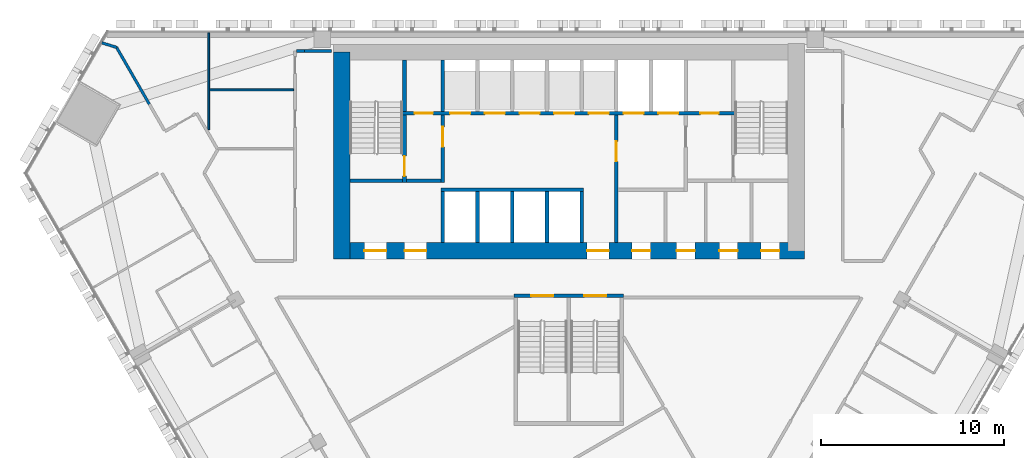
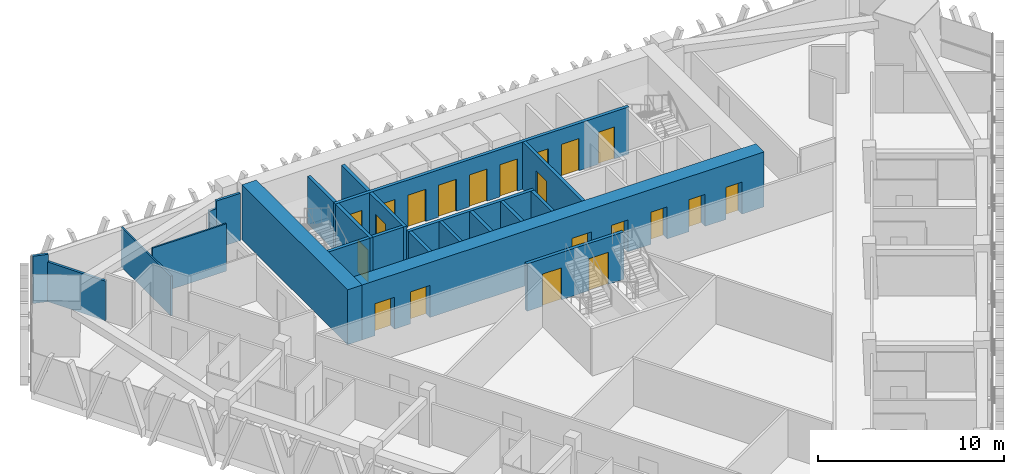
# One storey, part 11 of 16: 23 walls, 21 doors, 21 openings.
"""IFC4 building model written with IfcOpenShell, lengths in metres."""

from ifc_helpers import new_model, si_unit, direction, frame, frame_2d, origin, place, context, subcontext, project, spatial, rectangle, extrude, material, layer, layer_set, type_object, element, fill, save


model = new_model("IFC4")

# Units and contexts
model_context = context("Model", 3, precision=1e-05, world=origin(), true_north=direction((0.0, 1.0)))
body_context = subcontext(model_context, "Body", "Model", "MODEL_VIEW")
ifc_project = project(units=[si_unit("LENGTHUNIT", "METRE"), si_unit("AREAUNIT", "SQUARE_METRE"), si_unit("VOLUMEUNIT", "CUBIC_METRE"), si_unit("PLANEANGLEUNIT", "RADIAN"), si_unit("MASSUNIT", "GRAM", prefix="KILO")], contexts=[model_context])

# Site, building, storey
site_placement = place(None, origin())
site = spatial("IfcSite", under=ifc_project, at=site_placement, CompositionType="ELEMENT")
building_placement = place(site_placement, origin())
building = spatial("IfcBuilding", under=site, at=building_placement, Name="Altiplano Prism Tower", CompositionType="ELEMENT")
storey_placement = place(building_placement, frame((0.0, 0.0, 73.800048828125)))
storey = spatial("IfcBuildingStorey", under=building, at=storey_placement, Name="L18", CompositionType="ELEMENT", Elevation=73.800048828125)

# Wall, openings, doors
ifc_material_1 = material(Name="Concrete C70/85", Category="concrete")
ifc_layer_1 = layer(ifc_material_1, 0.89990234375)
ifc_layer_set_1 = layer_set([ifc_layer_1], Name="Concrete C70/85")
wall_type_1 = type_object("IfcWallType", Name="Core wall 900", PredefinedType="SHEAR", material=ifc_layer_set_1)
wall_1_placement = place(storey_placement, frame((72.550048828125, 92.949951171875, 0.0), z_axis=(0.0, 0.0, 1.0), x_axis=(1.0, 0.0, 0.0)))
wall_1 = element("IfcWall", 1, at=wall_1_placement, inside=storey, type_object=wall_type_1, Name="Core wall S L18", PredefinedType="SHEAR", context=body_context, shape_type="SweptSolid", body=[
    extrude(rectangle(XDim=25.349853515625, YDim=0.89990234375, at=frame_2d((12.6748046875, 0.0))), origin(), (0.0, 0.0, 1.0), 3.599853515625),
])
opening_1_placement = place(wall_1_placement, frame((1.25, 0.0, 0.0)))
opening_1 = element("IfcOpeningElement", 2, at=opening_1_placement, cuts=wall_1, Name="Opening D2832", PredefinedType="OPENING", context=body_context, shape_type="SweptSolid", body=[
    extrude(rectangle(XDim=1.199951171875, YDim=2.10009765625, at=frame_2d((0.60009765625, 1.050048828125))), frame((0.0, 0.46044921875, 0.0), z_axis=(0.0, -1.0, 0.0), x_axis=(1.0, 0.0, 0.0)), (0.0, 0.0, 1.0), 0.9208984375),
])
opening_2_placement = place(wall_1_placement, frame((3.449951171875, 0.0, 0.0)))
opening_2 = element("IfcOpeningElement", 3, at=opening_2_placement, cuts=wall_1, Name="Opening D2833", PredefinedType="OPENING", context=body_context, shape_type="SweptSolid", body=[
    extrude(rectangle(XDim=1.199951171875, YDim=2.10009765625, at=frame_2d((0.60009765625, 1.050048828125))), frame((0.0, 0.46044921875, 0.0), z_axis=(0.0, -1.0, 0.0), x_axis=(1.0, 0.0, 0.0)), (0.0, 0.0, 1.0), 0.9208984375),
])
opening_3_placement = place(wall_1_placement, frame((13.449951171875, 0.0, 0.0)))
opening_3 = element("IfcOpeningElement", 4, at=opening_3_placement, cuts=wall_1, Name="Opening D2834", PredefinedType="OPENING", context=body_context, shape_type="SweptSolid", body=[
    extrude(rectangle(XDim=1.199951171875, YDim=2.10009765625, at=frame_2d((0.60009765625, 1.050048828125))), frame((0.0, 0.46044921875, 0.0), z_axis=(0.0, -1.0, 0.0), x_axis=(1.0, 0.0, 0.0)), (0.0, 0.0, 1.0), 0.9208984375),
])
opening_4_placement = place(wall_1_placement, frame((15.91259765625, 0.0, 0.0)))
opening_4 = element("IfcOpeningElement", 5, at=opening_4_placement, cuts=wall_1, Name="Opening D2837", PredefinedType="OPENING", context=body_context, shape_type="SweptSolid", body=[
    extrude(rectangle(XDim=1.0, YDim=2.10009765625, at=frame_2d((0.5, 1.050048828125))), frame((0.0, 0.46044921875, 0.0), z_axis=(0.0, -1.0, 0.0), x_axis=(1.0, 0.0, 0.0)), (0.0, 0.0, 1.0), 0.9208984375),
])
opening_5_placement = place(wall_1_placement, frame((18.35009765625, 0.0, 0.0)))
opening_5 = element("IfcOpeningElement", 6, at=opening_5_placement, cuts=wall_1, Name="Opening D2838", PredefinedType="OPENING", context=body_context, shape_type="SweptSolid", body=[
    extrude(rectangle(XDim=1.0, YDim=2.10009765625, at=frame_2d((0.5, 1.050048828125))), frame((0.0, 0.46044921875, 0.0), z_axis=(0.0, -1.0, 0.0), x_axis=(1.0, 0.0, 0.0)), (0.0, 0.0, 1.0), 0.9208984375),
])
opening_6_placement = place(wall_1_placement, frame((20.699951171875, 0.0, 0.0)))
opening_6 = element("IfcOpeningElement", 7, at=opening_6_placement, cuts=wall_1, Name="Opening D2839", PredefinedType="OPENING", context=body_context, shape_type="SweptSolid", body=[
    extrude(rectangle(XDim=1.0, YDim=2.10009765625, at=frame_2d((0.5, 1.050048828125))), frame((0.0, 0.46044921875, 0.0), z_axis=(0.0, -1.0, 0.0), x_axis=(1.0, 0.0, 0.0)), (0.0, 0.0, 1.0), 0.9208984375),
])
opening_7_placement = place(wall_1_placement, frame((22.987548828125, 0.0, 0.0)))
opening_7 = element("IfcOpeningElement", 8, at=opening_7_placement, cuts=wall_1, Name="Opening D2840", PredefinedType="OPENING", context=body_context, shape_type="SweptSolid", body=[
    extrude(rectangle(XDim=1.0, YDim=2.10009765625, at=frame_2d((0.5, 1.050048828125))), frame((0.0, 0.46044921875, 0.0), z_axis=(0.0, -1.0, 0.0), x_axis=(1.0, 0.0, 0.0)), (0.0, 0.0, 1.0), 0.9208984375),
])
ifc_material_2 = material(Name="Fire-rated steel door", Category="steel")
door_type_1 = type_object("IfcDoorType", Name="Core room door 1000 x 2100", OperationType="NOTDEFINED", PredefinedType="NOTDEFINED", material=ifc_material_2)
door_1_placement = place(opening_4_placement, origin())
door_1 = element("IfcDoor", 9, at=door_1_placement, inside=storey, type_object=door_type_1, Name="Core room door D2837", OperationType="SINGLE_SWING_RIGHT", OverallHeight=2.10009765625, OverallWidth=1.0, PredefinedType="NOTDEFINED", context=body_context, shape_type="SweptSolid", body=[
    extrude(rectangle(XDim=1.0, YDim=2.10009765625, at=frame_2d((0.5, 1.050048828125))), frame((0.0, 0.02490234375, 0.0), z_axis=(0.0, -1.0, 0.0), x_axis=(1.0, 0.0, 0.0)), (0.0, 0.0, 1.0), 0.050048828125),
])
fill(opening_4, door_1)
door_2_placement = place(opening_5_placement, origin())
door_2 = element("IfcDoor", 10, at=door_2_placement, inside=storey, type_object=door_type_1, Name="Core room door D2838", OperationType="SINGLE_SWING_LEFT", OverallHeight=2.10009765625, OverallWidth=1.0, PredefinedType="NOTDEFINED", context=body_context, shape_type="SweptSolid", body=[
    extrude(rectangle(XDim=1.0, YDim=2.10009765625, at=frame_2d((0.5, 1.050048828125))), frame((0.0, 0.02490234375, 0.0), z_axis=(0.0, -1.0, 0.0), x_axis=(1.0, 0.0, 0.0)), (0.0, 0.0, 1.0), 0.050048828125),
])
fill(opening_5, door_2)
door_3_placement = place(opening_6_placement, origin())
door_3 = element("IfcDoor", 11, at=door_3_placement, inside=storey, type_object=door_type_1, Name="Core room door D2839", OperationType="SINGLE_SWING_RIGHT", OverallHeight=2.10009765625, OverallWidth=1.0, PredefinedType="NOTDEFINED", context=body_context, shape_type="SweptSolid", body=[
    extrude(rectangle(XDim=1.0, YDim=2.10009765625, at=frame_2d((0.5, 1.050048828125))), frame((0.0, 0.02490234375, 0.0), z_axis=(0.0, -1.0, 0.0), x_axis=(1.0, 0.0, 0.0)), (0.0, 0.0, 1.0), 0.050048828125),
])
fill(opening_6, door_3)
door_4_placement = place(opening_7_placement, origin())
door_4 = element("IfcDoor", 12, at=door_4_placement, inside=storey, type_object=door_type_1, Name="Core room door D2840", OperationType="SINGLE_SWING_LEFT", OverallHeight=2.10009765625, OverallWidth=1.0, PredefinedType="NOTDEFINED", context=body_context, shape_type="SweptSolid", body=[
    extrude(rectangle(XDim=1.0, YDim=2.10009765625, at=frame_2d((0.5, 1.050048828125))), frame((0.0, 0.02490234375, 0.0), z_axis=(0.0, -1.0, 0.0), x_axis=(1.0, 0.0, 0.0)), (0.0, 0.0, 1.0), 0.050048828125),
])
fill(opening_7, door_4)
door_type_2 = type_object("IfcDoorType", Name="Lobby fire door 1200 x 2100", OperationType="NOTDEFINED", PredefinedType="NOTDEFINED", material=ifc_material_2)
door_5_placement = place(opening_1_placement, origin())
door_5 = element("IfcDoor", 13, at=door_5_placement, inside=storey, type_object=door_type_2, Name="Lobby fire door D2832", OperationType="SINGLE_SWING_RIGHT", OverallHeight=2.10009765625, OverallWidth=1.199951171875, PredefinedType="NOTDEFINED", context=body_context, shape_type="SweptSolid", body=[
    extrude(rectangle(XDim=1.199951171875, YDim=2.10009765625, at=frame_2d((0.60009765625, 1.050048828125))), frame((0.0, 0.02490234375, 0.0), z_axis=(0.0, -1.0, 0.0), x_axis=(1.0, 0.0, 0.0)), (0.0, 0.0, 1.0), 0.050048828125),
])
fill(opening_1, door_5)
door_6_placement = place(opening_2_placement, origin())
door_6 = element("IfcDoor", 14, at=door_6_placement, inside=storey, type_object=door_type_2, Name="Lobby fire door D2833", OperationType="SINGLE_SWING_LEFT", OverallHeight=2.10009765625, OverallWidth=1.199951171875, PredefinedType="NOTDEFINED", context=body_context, shape_type="SweptSolid", body=[
    extrude(rectangle(XDim=1.199951171875, YDim=2.10009765625, at=frame_2d((0.60009765625, 1.050048828125))), frame((0.0, 0.02490234375, 0.0), z_axis=(0.0, -1.0, 0.0), x_axis=(1.0, 0.0, 0.0)), (0.0, 0.0, 1.0), 0.050048828125),
])
fill(opening_2, door_6)
door_7_placement = place(opening_3_placement, origin())
door_7 = element("IfcDoor", 15, at=door_7_placement, inside=storey, type_object=door_type_2, Name="Lobby fire door D2834", OperationType="SINGLE_SWING_RIGHT", OverallHeight=2.10009765625, OverallWidth=1.199951171875, PredefinedType="NOTDEFINED", context=body_context, shape_type="SweptSolid", body=[
    extrude(rectangle(XDim=1.199951171875, YDim=2.10009765625, at=frame_2d((0.60009765625, 1.050048828125))), frame((0.0, 0.02490234375, 0.0), z_axis=(0.0, -1.0, 0.0), x_axis=(1.0, 0.0, 0.0)), (0.0, 0.0, 1.0), 0.050048828125),
])
fill(opening_3, door_7)

# Walls
wall_2_placement = place(storey_placement, frame((72.550048828125, 103.85009765625, 0.0), z_axis=(0.0, 0.0, 1.0), x_axis=(0.0, -1.0, 0.0)))
element("IfcWall", 16, at=wall_2_placement, inside=storey, type_object=wall_type_1, Name="Core wall W L18", PredefinedType="SHEAR", context=body_context, shape_type="SweptSolid", body=[
    extrude(rectangle(XDim=11.35009765625, YDim=0.89990234375, at=frame_2d((5.675048828125, 0.0))), origin(), (0.0, 0.0, 1.0), 3.599853515625),
])
ifc_material_3 = material(Name="Plasterboard on steel stud", Category="steel")
ifc_layer_2 = layer(ifc_material_3, 0.10009765625)
ifc_layer_set_2 = layer_set([ifc_layer_2], Name="Plasterboard on steel stud")
wall_type_2 = type_object("IfcWallType", Name="Partition 100 wet", PredefinedType="PARTITIONING", material=ifc_layer_set_2)
wall_3_placement = place(storey_placement, frame((69.925048828125, 101.772705078125, 0.0), z_axis=(0.0, 0.0, 1.0), x_axis=(-1.0, 0.0, 0.0)))
element("IfcWall", 17, at=wall_3_placement, inside=storey, type_object=wall_type_2, Name="Partition P03 L18 027", PredefinedType="PARTITIONING", context=body_context, shape_type="SweptSolid", body=[
    extrude(rectangle(XDim=4.59912109375, YDim=0.10009765625, at=frame_2d((2.299560546875, 0.0))), origin(), (0.0, 0.0, 1.0), 3.099853515625),
])
wall_4_placement = place(storey_placement, frame((65.27587890625, 104.89990234375, 0.0), z_axis=(0.0, 0.0, 1.0), x_axis=(0.0, -1.0, 0.0)))
element("IfcWall", 18, at=wall_4_placement, inside=storey, type_object=wall_type_2, Name="Partition P03 L18 029", PredefinedType="PARTITIONING", context=body_context, shape_type="SweptSolid", body=[
    extrude(rectangle(XDim=5.309326171875, YDim=0.10009765625, at=frame_2d((2.65478515625, 0.0))), origin(), (0.0, 0.0, 1.0), 2.599853515625),
])
ifc_layer_3 = layer(ifc_material_3, 0.14990234375)
ifc_layer_set_3 = layer_set([ifc_layer_3], Name="Plasterboard on steel stud")
wall_type_3 = type_object("IfcWallType", Name="Partition 150 corridor", PredefinedType="PARTITIONING", material=ifc_layer_set_3)
wall_5_placement = place(storey_placement, frame((72.0, 103.89990234375, 0.0), z_axis=(0.0, 0.0, 1.0), x_axis=(-1.0, 0.0, 0.0)))
element("IfcWall", 19, at=wall_5_placement, inside=storey, type_object=wall_type_3, Name="Partition P06 L18 001", PredefinedType="PARTITIONING", context=body_context, shape_type="SweptSolid", body=[
    extrude(rectangle(XDim=1.4912109375, YDim=0.14990234375, at=frame_2d((0.74560546875, 0.0))), origin(), (0.0, 0.0, 1.0), 3.099853515625),
])
wall_6_placement = place(storey_placement, frame((70.5087890625, 103.89990234375, 0.0), z_axis=(0.0, 0.0, 1.0), x_axis=(-1.0, 0.0, 0.0)))
element("IfcWall", 20, at=wall_6_placement, inside=storey, type_object=wall_type_3, Name="Partition P06 L18 002", PredefinedType="PARTITIONING", context=body_context, shape_type="SweptSolid", body=[
    extrude(rectangle(XDim=0.433837890625, YDim=0.14990234375, at=frame_2d((0.216796875, 0.0))), origin(), (0.0, 0.0, 1.0), 2.599853515625),
])
wall_7_placement = place(storey_placement, frame((59.421630859375, 104.34912109375, 0.0), z_axis=(0.0, 0.0, 1.0), x_axis=(0.955225394117, -0.295879107804, 0.0)))
element("IfcWall", 21, at=wall_7_placement, inside=storey, type_object=wall_type_3, Name="Partition P06 L18 030", PredefinedType="PARTITIONING", context=body_context, shape_type="SweptSolid", body=[
    extrude(rectangle(XDim=0.841552734375, YDim=0.14990234375, at=frame_2d((0.4208984375, 0.0))), origin(), (0.0, 0.0, 1.0), 3.099853515625),
])
wall_8_placement = place(storey_placement, frame((60.2255859375, 104.10009765625, 0.0), z_axis=(0.0, 0.0, 1.0), x_axis=(0.499999409447, -0.86602574474, 0.0)))
element("IfcWall", 22, at=wall_8_placement, inside=storey, type_object=wall_type_3, Name="Partition P06 L18 031", PredefinedType="PARTITIONING", context=body_context, shape_type="SweptSolid", body=[
    extrude(rectangle(XDim=3.61181640625, YDim=0.14990234375, at=frame_2d((1.805908203125, 0.0))), origin(), (0.0, 0.0, 1.0), 2.599853515625),
])
ifc_material_4 = material(Name="Concrete C60/75", Category="concrete")
ifc_layer_4 = layer(ifc_material_4, 0.199951171875)
ifc_layer_set_4 = layer_set([ifc_layer_4], Name="Concrete C60/75")
wall_type_4 = type_object("IfcWallType", Name="Shaft wall 200", PredefinedType="SOLIDWALL", material=ifc_layer_set_4)
for number, where, z_axis, x_axis, name in (
    (23, (78.10009765625, 93.39990234375, 0.0), (0.0, 0.0, 1.0), (0.0, 1.0, 0.0), "Shaft wall L18"),
    (24, (80.0, 93.39990234375, 0.0), (0.0, 0.0, 1.0), (0.0, 1.0, 0.0), "Shaft wall L18"),
    (25, (81.89990234375, 93.39990234375, 0.0), (0.0, 0.0, 1.0), (0.0, 1.0, 0.0), "Shaft wall L18"),
    (26, (83.800048828125, 93.39990234375, 0.0), (0.0, 0.0, 1.0), (0.0, 1.0, 0.0), "Shaft wall L18"),
    (27, (85.699951171875, 93.39990234375, 0.0), (0.0, 0.0, 1.0), (0.0, 1.0, 0.0), "Shaft wall L18"),
):
    element("IfcWall", number, at=place(storey_placement, frame(where, z_axis=z_axis, x_axis=x_axis)), inside=storey, type_object=wall_type_4, Name=name, PredefinedType="SOLIDWALL", context=body_context, shape_type="SweptSolid", body=[
        extrude(rectangle(XDim=2.800048828125, YDim=0.199951171875, at=frame_2d((1.39990234375, 0.0))), origin(), (0.0, 0.0, 1.0), 3.099853515625),
    ])
wall_9_placement = place(storey_placement, frame((78.0, 96.300048828125, 0.0), z_axis=(0.0, 0.0, 1.0), x_axis=(1.0, 0.0, 0.0)))
element("IfcWall", 28, at=wall_9_placement, inside=storey, type_object=wall_type_4, Name="Shaft wall L18", PredefinedType="SOLIDWALL", context=body_context, shape_type="SweptSolid", body=[
    extrude(rectangle(XDim=7.800048828125, YDim=0.199951171875, at=frame_2d((3.89990234375, 0.0))), origin(), (0.0, 0.0, 1.0), 3.099853515625),
])
wall_10_placement = place(storey_placement, frame((78.10009765625, 100.60009765625, 0.0), z_axis=(0.0, 0.0, 1.0), x_axis=(0.0, 1.0, 0.0)))
element("IfcWall", 29, at=wall_10_placement, inside=storey, type_object=wall_type_4, Name="Shaft wall L18", PredefinedType="SOLIDWALL", context=body_context, shape_type="SweptSolid", body=[
    extrude(rectangle(XDim=2.7998046875, YDim=0.199951171875, at=frame_2d((1.39990234375, 0.0))), origin(), (0.0, 0.0, 1.0), 3.099853515625),
])
ifc_layer_5 = layer(ifc_material_4, 0.199951171875)
ifc_layer_set_5 = layer_set([ifc_layer_5], Name="Concrete C60/75")
wall_type_5 = type_object("IfcWallType", Name="Stair wall 200", PredefinedType="SOLIDWALL", material=ifc_layer_set_5)
wall_11_placement = place(storey_placement, frame((73.0, 96.800048828125, 0.0), z_axis=(0.0, 0.0, 1.0), x_axis=(1.0, 0.0, 0.0)))
element("IfcWall", 30, at=wall_11_placement, inside=storey, type_object=wall_type_5, Name="Stair wall L18", PredefinedType="SOLIDWALL", context=body_context, shape_type="SweptSolid", body=[
    extrude(rectangle(XDim=2.89990234375, YDim=0.199951171875, at=frame_2d((1.449951171875, 0.0))), origin(), (0.0, 0.0, 1.0), 3.099853515625),
])

# Wall, opening, door
wall_12_placement = place(storey_placement, frame((76.0, 96.699951171875, 0.0), z_axis=(0.0, 0.0, 1.0), x_axis=(0.0, 1.0, 0.0)))
wall_12 = element("IfcWall", 31, at=wall_12_placement, inside=storey, type_object=wall_type_5, Name="Stair wall L18", PredefinedType="SOLIDWALL", context=body_context, shape_type="SweptSolid", body=[
    extrude(rectangle(XDim=3.699951171875, YDim=0.199951171875, at=frame_2d((1.85009765625, 0.0))), origin(), (0.0, 0.0, 1.0), 3.099853515625),
])
opening_8_placement = place(wall_12_placement, frame((0.35009765625, 0.0, 0.0)))
opening_8 = element("IfcOpeningElement", 32, at=opening_8_placement, cuts=wall_12, Name="Opening D2827", PredefinedType="OPENING", context=body_context, shape_type="SweptSolid", body=[
    extrude(rectangle(XDim=1.10009765625, YDim=2.10009765625, at=frame_2d((0.550048828125, 1.050048828125))), frame((0.0, 0.1103515625, 0.0), z_axis=(0.0, -1.0, 0.0), x_axis=(1.0, 0.0, 0.0)), (0.0, 0.0, 1.0), 0.220947265625),
])
door_type_3 = type_object("IfcDoorType", Name="Stair fire door 1100 x 2100", OperationType="NOTDEFINED", PredefinedType="NOTDEFINED", material=ifc_material_2)
door_8_placement = place(opening_8_placement, origin())
door_8 = element("IfcDoor", 33, at=door_8_placement, inside=storey, type_object=door_type_3, Name="Stair fire door D2827", OperationType="SINGLE_SWING_RIGHT", OverallHeight=2.10009765625, OverallWidth=1.10009765625, PredefinedType="NOTDEFINED", context=body_context, shape_type="SweptSolid", body=[
    extrude(rectangle(XDim=1.10009765625, YDim=2.10009765625, at=frame_2d((0.550048828125, 1.050048828125))), frame((0.0, 0.02490234375, 0.0), z_axis=(0.0, -1.0, 0.0), x_axis=(1.0, 0.0, 0.0)), (0.0, 0.0, 1.0), 0.050048828125),
])
fill(opening_8, door_8)

# Wall, openings, doors
wall_13_placement = place(storey_placement, frame((75.89990234375, 100.5, 0.0), z_axis=(0.0, 0.0, 1.0), x_axis=(1.0, 0.0, 0.0)))
wall_13 = element("IfcWall", 34, at=wall_13_placement, inside=storey, type_object=wall_type_5, Name="Stair wall L18", PredefinedType="SOLIDWALL", context=body_context, shape_type="SweptSolid", body=[
    extrude(rectangle(XDim=18.2001953125, YDim=0.199951171875, at=frame_2d((9.10009765625, 0.0))), origin(), (0.0, 0.0, 1.0), 3.099853515625),
])
opening_9_placement = place(wall_13_placement, frame((2.60009765625, 0.0, 0.0)))
opening_9 = element("IfcOpeningElement", 35, at=opening_9_placement, cuts=wall_13, Name="Opening LD-LL1-L18", PredefinedType="OPENING", context=body_context, shape_type="SweptSolid", body=[
    extrude(rectangle(XDim=1.10009765625, YDim=2.10009765625, at=frame_2d((0.550048828125, 1.050048828125))), frame((0.0, 0.1103515625, 0.0), z_axis=(0.0, -1.0, 0.0), x_axis=(1.0, 0.0, 0.0)), (0.0, 0.0, 1.0), 0.220947265625),
])
opening_10_placement = place(wall_13_placement, frame((4.5, 0.0, 0.0)))
opening_10 = element("IfcOpeningElement", 36, at=opening_10_placement, cuts=wall_13, Name="Opening LD-LL2-L18", PredefinedType="OPENING", context=body_context, shape_type="SweptSolid", body=[
    extrude(rectangle(XDim=1.10009765625, YDim=2.10009765625, at=frame_2d((0.550048828125, 1.050048828125))), frame((0.0, 0.1103515625, 0.0), z_axis=(0.0, -1.0, 0.0), x_axis=(1.0, 0.0, 0.0)), (0.0, 0.0, 1.0), 0.220947265625),
])
opening_11_placement = place(wall_13_placement, frame((6.39990234375, 0.0, 0.0)))
opening_11 = element("IfcOpeningElement", 37, at=opening_11_placement, cuts=wall_13, Name="Opening LD-LL3-L18", PredefinedType="OPENING", context=body_context, shape_type="SweptSolid", body=[
    extrude(rectangle(XDim=1.10009765625, YDim=2.10009765625, at=frame_2d((0.550048828125, 1.050048828125))), frame((0.0, 0.1103515625, 0.0), z_axis=(0.0, -1.0, 0.0), x_axis=(1.0, 0.0, 0.0)), (0.0, 0.0, 1.0), 0.220947265625),
])
opening_12_placement = place(wall_13_placement, frame((8.300048828125, 0.0, 0.0)))
opening_12 = element("IfcOpeningElement", 38, at=opening_12_placement, cuts=wall_13, Name="Opening LD-LL4-L18", PredefinedType="OPENING", context=body_context, shape_type="SweptSolid", body=[
    extrude(rectangle(XDim=1.10009765625, YDim=2.10009765625, at=frame_2d((0.550048828125, 1.050048828125))), frame((0.0, 0.1103515625, 0.0), z_axis=(0.0, -1.0, 0.0), x_axis=(1.0, 0.0, 0.0)), (0.0, 0.0, 1.0), 0.220947265625),
])
opening_13_placement = place(wall_13_placement, frame((10.199951171875, 0.0, 0.0)))
opening_13 = element("IfcOpeningElement", 39, at=opening_13_placement, cuts=wall_13, Name="Opening LD-LL5-L18", PredefinedType="OPENING", context=body_context, shape_type="SweptSolid", body=[
    extrude(rectangle(XDim=1.10009765625, YDim=2.10009765625, at=frame_2d((0.550048828125, 1.050048828125))), frame((0.0, 0.1103515625, 0.0), z_axis=(0.0, -1.0, 0.0), x_axis=(1.0, 0.0, 0.0)), (0.0, 0.0, 1.0), 0.220947265625),
])
opening_14_placement = place(wall_13_placement, frame((12.10009765625, 0.0, 0.0)))
opening_14 = element("IfcOpeningElement", 40, at=opening_14_placement, cuts=wall_13, Name="Opening LD-FF1-L18", PredefinedType="OPENING", context=body_context, shape_type="SweptSolid", body=[
    extrude(rectangle(XDim=1.10009765625, YDim=2.10009765625, at=frame_2d((0.550048828125, 1.050048828125))), frame((0.0, 0.1103515625, 0.0), z_axis=(0.0, -1.0, 0.0), x_axis=(1.0, 0.0, 0.0)), (0.0, 0.0, 1.0), 0.220947265625),
])
opening_15_placement = place(wall_13_placement, frame((14.0, 0.0, 0.0)))
opening_15 = element("IfcOpeningElement", 41, at=opening_15_placement, cuts=wall_13, Name="Opening LD-FF2-L18", PredefinedType="OPENING", context=body_context, shape_type="SweptSolid", body=[
    extrude(rectangle(XDim=1.10009765625, YDim=2.10009765625, at=frame_2d((0.550048828125, 1.050048828125))), frame((0.0, 0.1103515625, 0.0), z_axis=(0.0, -1.0, 0.0), x_axis=(1.0, 0.0, 0.0)), (0.0, 0.0, 1.0), 0.220947265625),
])
opening_16_placement = place(wall_13_placement, frame((0.64990234375, 0.0, 0.0)))
opening_16 = element("IfcOpeningElement", 42, at=opening_16_placement, cuts=wall_13, Name="Opening D2835", PredefinedType="OPENING", context=body_context, shape_type="SweptSolid", body=[
    extrude(rectangle(XDim=1.0, YDim=2.10009765625, at=frame_2d((0.5, 1.050048828125))), frame((0.0, 0.1103515625, 0.0), z_axis=(0.0, -1.0, 0.0), x_axis=(1.0, 0.0, 0.0)), (0.0, 0.0, 1.0), 0.220947265625),
])
opening_17_placement = place(wall_13_placement, frame((16.300048828125, 0.0, 0.0)))
opening_17 = element("IfcOpeningElement", 43, at=opening_17_placement, cuts=wall_13, Name="Opening D2836", PredefinedType="OPENING", context=body_context, shape_type="SweptSolid", body=[
    extrude(rectangle(XDim=1.0, YDim=2.10009765625, at=frame_2d((0.5, 1.050048828125))), frame((0.0, 0.1103515625, 0.0), z_axis=(0.0, -1.0, 0.0), x_axis=(1.0, 0.0, 0.0)), (0.0, 0.0, 1.0), 0.220947265625),
])
door_9_placement = place(opening_16_placement, origin())
door_9 = element("IfcDoor", 44, at=door_9_placement, inside=storey, type_object=door_type_1, Name="Core room door D2835", OperationType="SINGLE_SWING_LEFT", OverallHeight=2.10009765625, OverallWidth=1.0, PredefinedType="NOTDEFINED", context=body_context, shape_type="SweptSolid", body=[
    extrude(rectangle(XDim=1.0, YDim=2.10009765625, at=frame_2d((0.5, 1.050048828125))), frame((0.0, 0.02490234375, 0.0), z_axis=(0.0, -1.0, 0.0), x_axis=(1.0, 0.0, 0.0)), (0.0, 0.0, 1.0), 0.050048828125),
])
fill(opening_16, door_9)
door_10_placement = place(opening_17_placement, origin())
door_10 = element("IfcDoor", 45, at=door_10_placement, inside=storey, type_object=door_type_1, Name="Core room door D2836", OperationType="SINGLE_SWING_RIGHT", OverallHeight=2.10009765625, OverallWidth=1.0, PredefinedType="NOTDEFINED", context=body_context, shape_type="SweptSolid", body=[
    extrude(rectangle(XDim=1.0, YDim=2.10009765625, at=frame_2d((0.5, 1.050048828125))), frame((0.0, 0.02490234375, 0.0), z_axis=(0.0, -1.0, 0.0), x_axis=(1.0, 0.0, 0.0)), (0.0, 0.0, 1.0), 0.050048828125),
])
fill(opening_17, door_10)
ifc_material_5 = material(Name="Stainless steel landing door", Category="steel")
door_type_4 = type_object("IfcDoorType", Name="Landing door 1100 x 2100", OperationType="NOTDEFINED", PredefinedType="NOTDEFINED", material=ifc_material_5)
door_11_placement = place(opening_9_placement, origin())
door_11 = element("IfcDoor", 46, at=door_11_placement, inside=storey, type_object=door_type_4, Name="Landing doors LL1", OperationType="SLIDING_TO_RIGHT", OverallHeight=2.10009765625, OverallWidth=1.10009765625, PredefinedType="NOTDEFINED", context=body_context, shape_type="SweptSolid", body=[
    extrude(rectangle(XDim=1.10009765625, YDim=2.10009765625, at=frame_2d((0.550048828125, 1.050048828125))), frame((0.0, 0.02490234375, 0.0), z_axis=(0.0, -1.0, 0.0), x_axis=(1.0, 0.0, 0.0)), (0.0, 0.0, 1.0), 0.050048828125),
])
fill(opening_9, door_11)
door_12_placement = place(opening_10_placement, origin())
door_12 = element("IfcDoor", 47, at=door_12_placement, inside=storey, type_object=door_type_4, Name="Landing doors LL2", OperationType="SLIDING_TO_LEFT", OverallHeight=2.10009765625, OverallWidth=1.10009765625, PredefinedType="NOTDEFINED", context=body_context, shape_type="SweptSolid", body=[
    extrude(rectangle(XDim=1.10009765625, YDim=2.10009765625, at=frame_2d((0.550048828125, 1.050048828125))), frame((0.0, 0.02490234375, 0.0), z_axis=(0.0, -1.0, 0.0), x_axis=(1.0, 0.0, 0.0)), (0.0, 0.0, 1.0), 0.050048828125),
])
fill(opening_10, door_12)
door_13_placement = place(opening_11_placement, origin())
door_13 = element("IfcDoor", 48, at=door_13_placement, inside=storey, type_object=door_type_4, Name="Landing doors LL3", OperationType="SLIDING_TO_RIGHT", OverallHeight=2.10009765625, OverallWidth=1.10009765625, PredefinedType="NOTDEFINED", context=body_context, shape_type="SweptSolid", body=[
    extrude(rectangle(XDim=1.10009765625, YDim=2.10009765625, at=frame_2d((0.550048828125, 1.050048828125))), frame((0.0, 0.02490234375, 0.0), z_axis=(0.0, -1.0, 0.0), x_axis=(1.0, 0.0, 0.0)), (0.0, 0.0, 1.0), 0.050048828125),
])
fill(opening_11, door_13)
door_14_placement = place(opening_12_placement, origin())
door_14 = element("IfcDoor", 49, at=door_14_placement, inside=storey, type_object=door_type_4, Name="Landing doors LL4", OperationType="SLIDING_TO_LEFT", OverallHeight=2.10009765625, OverallWidth=1.10009765625, PredefinedType="NOTDEFINED", context=body_context, shape_type="SweptSolid", body=[
    extrude(rectangle(XDim=1.10009765625, YDim=2.10009765625, at=frame_2d((0.550048828125, 1.050048828125))), frame((0.0, 0.02490234375, 0.0), z_axis=(0.0, -1.0, 0.0), x_axis=(1.0, 0.0, 0.0)), (0.0, 0.0, 1.0), 0.050048828125),
])
fill(opening_12, door_14)
door_15_placement = place(opening_13_placement, origin())
door_15 = element("IfcDoor", 50, at=door_15_placement, inside=storey, type_object=door_type_4, Name="Landing doors LL5", OperationType="SLIDING_TO_RIGHT", OverallHeight=2.10009765625, OverallWidth=1.10009765625, PredefinedType="NOTDEFINED", context=body_context, shape_type="SweptSolid", body=[
    extrude(rectangle(XDim=1.10009765625, YDim=2.10009765625, at=frame_2d((0.550048828125, 1.050048828125))), frame((0.0, 0.02490234375, 0.0), z_axis=(0.0, -1.0, 0.0), x_axis=(1.0, 0.0, 0.0)), (0.0, 0.0, 1.0), 0.050048828125),
])
fill(opening_13, door_15)
door_16_placement = place(opening_14_placement, origin())
door_16 = element("IfcDoor", 51, at=door_16_placement, inside=storey, type_object=door_type_4, Name="Landing doors FF1", OperationType="SLIDING_TO_RIGHT", OverallHeight=2.10009765625, OverallWidth=1.10009765625, PredefinedType="NOTDEFINED", context=body_context, shape_type="SweptSolid", body=[
    extrude(rectangle(XDim=1.10009765625, YDim=2.10009765625, at=frame_2d((0.550048828125, 1.050048828125))), frame((0.0, 0.02490234375, 0.0), z_axis=(0.0, -1.0, 0.0), x_axis=(1.0, 0.0, 0.0)), (0.0, 0.0, 1.0), 0.050048828125),
])
fill(opening_14, door_16)
door_17_placement = place(opening_15_placement, origin())
door_17 = element("IfcDoor", 52, at=door_17_placement, inside=storey, type_object=door_type_4, Name="Landing doors FF2", OperationType="SLIDING_TO_LEFT", OverallHeight=2.10009765625, OverallWidth=1.10009765625, PredefinedType="NOTDEFINED", context=body_context, shape_type="SweptSolid", body=[
    extrude(rectangle(XDim=1.10009765625, YDim=2.10009765625, at=frame_2d((0.550048828125, 1.050048828125))), frame((0.0, 0.02490234375, 0.0), z_axis=(0.0, -1.0, 0.0), x_axis=(1.0, 0.0, 0.0)), (0.0, 0.0, 1.0), 0.050048828125),
])
fill(opening_15, door_17)

# Wall
wall_14_placement = place(storey_placement, frame((76.0, 100.60009765625, 0.0), z_axis=(0.0, 0.0, 1.0), x_axis=(0.0, 1.0, 0.0)))
element("IfcWall", 53, at=wall_14_placement, inside=storey, type_object=wall_type_5, Name="Stair wall L18", PredefinedType="SOLIDWALL", context=body_context, shape_type="SweptSolid", body=[
    extrude(rectangle(XDim=2.7998046875, YDim=0.199951171875, at=frame_2d((1.39990234375, 0.0))), origin(), (0.0, 0.0, 1.0), 3.099853515625),
])

# Wall, openings, doors
wall_15_placement = place(storey_placement, frame((82.0, 90.5, 0.0), z_axis=(0.0, 0.0, 1.0), x_axis=(1.0, 0.0, 0.0)))
wall_15 = element("IfcWall", 54, at=wall_15_placement, inside=storey, type_object=wall_type_5, Name="Stair 3 wall north L18", PredefinedType="SOLIDWALL", context=body_context, shape_type="SweptSolid", body=[
    extrude(rectangle(XDim=6.0, YDim=0.199951171875, at=frame_2d((3.0, 0.0))), origin(), (0.0, 0.0, 1.0), 3.099853515625),
])
opening_18_placement = place(wall_15_placement, frame((0.949951171875, 0.0, 0.0)))
opening_18 = element("IfcOpeningElement", 55, at=opening_18_placement, cuts=wall_15, Name="Opening D3958", PredefinedType="OPENING", context=body_context, shape_type="SweptSolid", body=[
    extrude(rectangle(XDim=1.199951171875, YDim=2.10009765625, at=frame_2d((0.60009765625, 1.050048828125))), frame((0.0, 0.1103515625, 0.0), z_axis=(0.0, -1.0, 0.0), x_axis=(1.0, 0.0, 0.0)), (0.0, 0.0, 1.0), 0.220947265625),
])
opening_19_placement = place(wall_15_placement, frame((3.85009765625, 0.0, 0.0)))
opening_19 = element("IfcOpeningElement", 56, at=opening_19_placement, cuts=wall_15, Name="Opening D3959", PredefinedType="OPENING", context=body_context, shape_type="SweptSolid", body=[
    extrude(rectangle(XDim=1.199951171875, YDim=2.10009765625, at=frame_2d((0.60009765625, 1.050048828125))), frame((0.0, 0.1103515625, 0.0), z_axis=(0.0, -1.0, 0.0), x_axis=(1.0, 0.0, 0.0)), (0.0, 0.0, 1.0), 0.220947265625),
])
door_type_5 = type_object("IfcDoorType", Name="Stair fire door 1200 x 2100", OperationType="NOTDEFINED", PredefinedType="NOTDEFINED", material=ifc_material_2)
door_18_placement = place(opening_18_placement, origin())
door_18 = element("IfcDoor", 57, at=door_18_placement, inside=storey, type_object=door_type_5, Name="Stair fire door D3958", OperationType="SINGLE_SWING_LEFT", OverallHeight=2.10009765625, OverallWidth=1.199951171875, PredefinedType="NOTDEFINED", context=body_context, shape_type="SweptSolid", body=[
    extrude(rectangle(XDim=1.199951171875, YDim=2.10009765625, at=frame_2d((0.60009765625, 1.050048828125))), frame((0.0, 0.02490234375, 0.0), z_axis=(0.0, -1.0, 0.0), x_axis=(1.0, 0.0, 0.0)), (0.0, 0.0, 1.0), 0.050048828125),
])
fill(opening_18, door_18)
door_19_placement = place(opening_19_placement, origin())
door_19 = element("IfcDoor", 58, at=door_19_placement, inside=storey, type_object=door_type_5, Name="Stair fire door D3959", OperationType="SINGLE_SWING_LEFT", OverallHeight=2.10009765625, OverallWidth=1.199951171875, PredefinedType="NOTDEFINED", context=body_context, shape_type="SweptSolid", body=[
    extrude(rectangle(XDim=1.199951171875, YDim=2.10009765625, at=frame_2d((0.60009765625, 1.050048828125))), frame((0.0, 0.02490234375, 0.0), z_axis=(0.0, -1.0, 0.0), x_axis=(1.0, 0.0, 0.0)), (0.0, 0.0, 1.0), 0.050048828125),
])
fill(opening_19, door_19)

# Wall, opening, door
ifc_layer_6 = layer(ifc_material_4, 0.199951171875)
ifc_layer_set_6 = layer_set([ifc_layer_6], Name="Concrete C60/75")
wall_type_6 = type_object("IfcWallType", Name="Vestibule wall 200", PredefinedType="PARTITIONING", material=ifc_layer_set_6)
wall_16_placement = place(storey_placement, frame((87.60009765625, 93.39990234375, 0.0), z_axis=(0.0, 0.0, 1.0), x_axis=(0.0, 1.0, 0.0)))
wall_16 = element("IfcWall", 59, at=wall_16_placement, inside=storey, type_object=wall_type_6, Name="Vestibule wall L18", PredefinedType="PARTITIONING", context=body_context, shape_type="SweptSolid", body=[
    extrude(rectangle(XDim=7.0, YDim=0.199951171875, at=frame_2d((3.5, 0.0))), origin(), (0.0, 0.0, 1.0), 3.099853515625),
])
opening_20_placement = place(wall_16_placement, frame((4.449951171875, 0.0, 0.0)))
opening_20 = element("IfcOpeningElement", 60, at=opening_20_placement, cuts=wall_16, Name="Opening D2830", PredefinedType="OPENING", context=body_context, shape_type="SweptSolid", body=[
    extrude(rectangle(XDim=1.10009765625, YDim=2.10009765625, at=frame_2d((0.550048828125, 1.050048828125))), frame((0.0, 0.1103515625, 0.0), z_axis=(0.0, -1.0, 0.0), x_axis=(1.0, 0.0, 0.0)), (0.0, 0.0, 1.0), 0.220947265625),
])
door_type_6 = type_object("IfcDoorType", Name="Vestibule fire door 1100 x 2100", OperationType="NOTDEFINED", PredefinedType="NOTDEFINED", material=ifc_material_2)
door_20_placement = place(opening_20_placement, origin())
door_20 = element("IfcDoor", 61, at=door_20_placement, inside=storey, type_object=door_type_6, Name="Vestibule fire door D2830", OperationType="SINGLE_SWING_RIGHT", OverallHeight=2.10009765625, OverallWidth=1.10009765625, PredefinedType="NOTDEFINED", context=body_context, shape_type="SweptSolid", body=[
    extrude(rectangle(XDim=1.10009765625, YDim=2.10009765625, at=frame_2d((0.550048828125, 1.050048828125))), frame((0.0, 0.02490234375, 0.0), z_axis=(0.0, -1.0, 0.0), x_axis=(1.0, 0.0, 0.0)), (0.0, 0.0, 1.0), 0.050048828125),
])
fill(opening_20, door_20)

# Wall
wall_17_placement = place(storey_placement, frame((76.10009765625, 96.800048828125, 0.0), z_axis=(0.0, 0.0, 1.0), x_axis=(1.0, 0.0, 0.0)))
element("IfcWall", 62, at=wall_17_placement, inside=storey, type_object=wall_type_6, Name="Vestibule wall L18", PredefinedType="PARTITIONING", context=body_context, shape_type="SweptSolid", body=[
    extrude(rectangle(XDim=1.89990234375, YDim=0.199951171875, at=frame_2d((0.949951171875, 0.0))), origin(), (0.0, 0.0, 1.0), 3.099853515625),
])

# Wall, opening, door
wall_18_placement = place(storey_placement, frame((78.10009765625, 96.699951171875, 0.0), z_axis=(0.0, 0.0, 1.0), x_axis=(0.0, 1.0, 0.0)))
wall_18 = element("IfcWall", 63, at=wall_18_placement, inside=storey, type_object=wall_type_6, Name="Vestibule wall L18", PredefinedType="PARTITIONING", context=body_context, shape_type="SweptSolid", body=[
    extrude(rectangle(XDim=3.699951171875, YDim=0.199951171875, at=frame_2d((1.85009765625, 0.0))), origin(), (0.0, 0.0, 1.0), 3.099853515625),
])
opening_21_placement = place(wall_18_placement, frame((1.949951171875, 0.0, 0.0)))
opening_21 = element("IfcOpeningElement", 64, at=opening_21_placement, cuts=wall_18, Name="Opening D2829", PredefinedType="OPENING", context=body_context, shape_type="SweptSolid", body=[
    extrude(rectangle(XDim=1.10009765625, YDim=2.10009765625, at=frame_2d((0.550048828125, 1.050048828125))), frame((0.0, 0.1103515625, 0.0), z_axis=(0.0, -1.0, 0.0), x_axis=(1.0, 0.0, 0.0)), (0.0, 0.0, 1.0), 0.220947265625),
])
door_21_placement = place(opening_21_placement, origin())
door_21 = element("IfcDoor", 65, at=door_21_placement, inside=storey, type_object=door_type_6, Name="Vestibule fire door D2829", OperationType="SINGLE_SWING_LEFT", OverallHeight=2.10009765625, OverallWidth=1.10009765625, PredefinedType="NOTDEFINED", context=body_context, shape_type="SweptSolid", body=[
    extrude(rectangle(XDim=1.10009765625, YDim=2.10009765625, at=frame_2d((0.550048828125, 1.050048828125))), frame((0.0, 0.02490234375, 0.0), z_axis=(0.0, -1.0, 0.0), x_axis=(1.0, 0.0, 0.0)), (0.0, 0.0, 1.0), 0.050048828125),
])
fill(opening_21, door_21)

save(model, "model.ifc")
